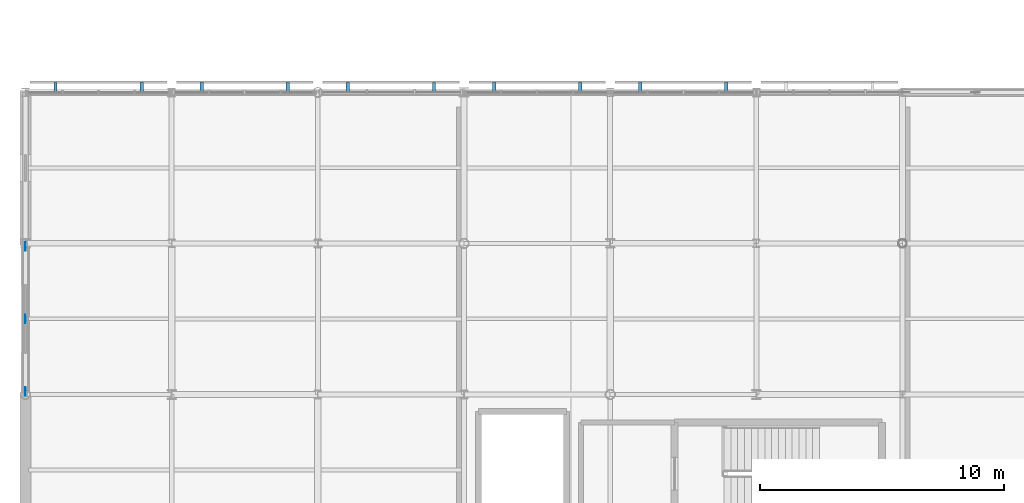
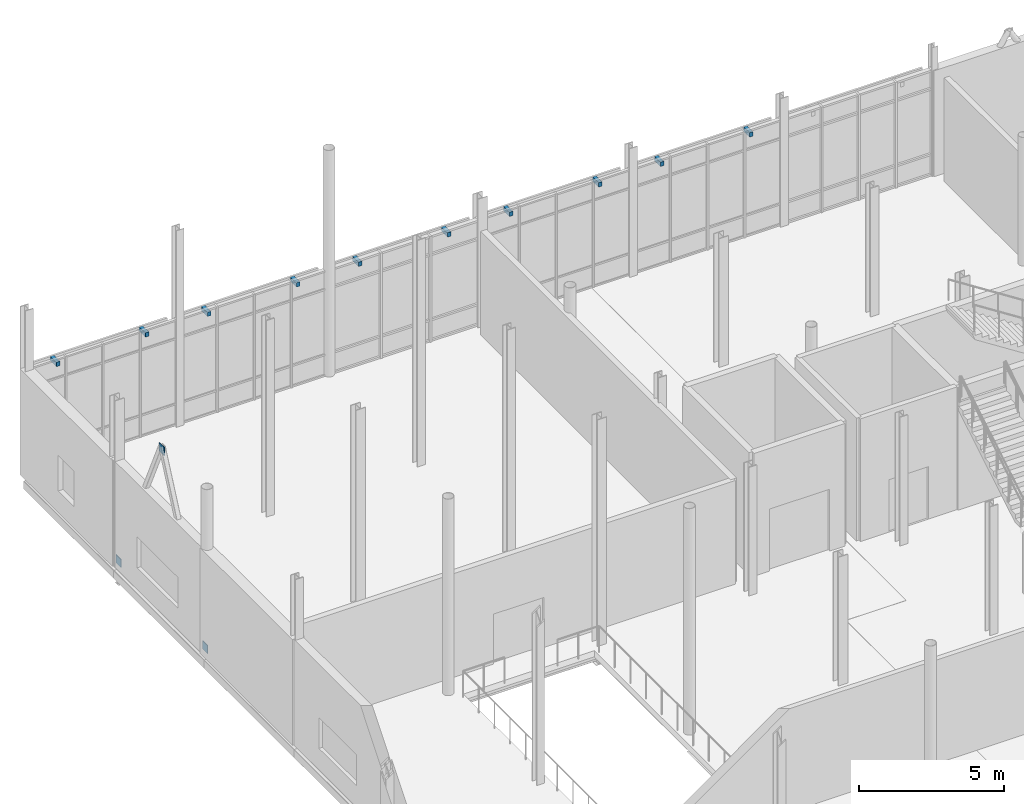
# One storey, part 80 of 105: 13 discrete accessories.
"""IFC4 building model written with IfcOpenShell, lengths in metres."""

import ifcopenshell
import ifcopenshell.guid

model = None  # the IFC model being written
_history = None  # IfcOwnerHistory: only IFC2X3 demands one
_inside = {}  # id of a spatial element -> (the spatial element, [elements in it])
_under = {}  # id of a project, library or spatial element -> (it, [spatial elements below it])
_declared = {}  # id of a project -> (the project, [libraries it declares])
_typed = {}  # id of a type object -> (the type object, [elements of that type])
_made_of = {}  # id of a material, layer set ... -> (it, [elements and type objects made of it])


def new_model(schema):
    """Start an empty IFC model of exactly this schema.

    Asked for "IFC4X3", IfcOpenShell would pick the latest addendum, in which some entities
    have other attributes; the version numbers below select the first issue.
    IFC2X3 requires an IfcOwnerHistory on every rooted entity: one is made here for all.
    """
    global model, _history
    if schema == "IFC4X3":
        model = ifcopenshell.file(schema_version=(4, 3, 0, 0))
    else:
        model = ifcopenshell.file(schema=schema)
    _inside.clear()
    _under.clear()
    _declared.clear()
    _typed.clear()
    _made_of.clear()
    _history = None
    if model.schema == "IFC2X3":
        org = make("IfcOrganization", Name="unknown")
        user = make(
            "IfcPersonAndOrganization",
            ThePerson=make("IfcPerson", FamilyName="unknown"),
            TheOrganization=org,
        )
        app = make(
            "IfcApplication",
            ApplicationDeveloper=org,
            Version="unknown",
            ApplicationFullName="unknown",
            ApplicationIdentifier="unknown",
        )
        _history = make(
            "IfcOwnerHistory",
            OwningUser=user,
            OwningApplication=app,
            ChangeAction="ADDED",
            CreationDate=0,
        )
    return model


def make(cls, **values):
    """One entity of the class cls with the attributes given. An attribute that is None is left unset."""
    return model.create_entity(
        cls, **{name: value for name, value in values.items() if value is not None}
    )


def rooted(cls, **values):
    """An entity with a GlobalId (a new one), such as an element, a storey or a relation."""
    return make(cls, GlobalId=ifcopenshell.guid.new(), OwnerHistory=_history, **values)


def si_unit(unit_type, name, prefix=None):
    """IfcSIUnit, for example si_unit("LENGTHUNIT", "METRE", prefix="MILLI")."""
    return make("IfcSIUnit", UnitType=unit_type, Prefix=prefix, Name=name)


def assignment(units):
    """IfcUnitAssignment: the units of a project."""
    return None if units is None else make("IfcUnitAssignment", Units=units)


def point(xyz):
    """IfcCartesianPoint."""
    return None if xyz is None else make("IfcCartesianPoint", Coordinates=xyz)


def direction(xyz):
    """IfcDirection."""
    return None if xyz is None else make("IfcDirection", DirectionRatios=xyz)


def frame(location, z_axis=None, x_axis=None):
    """IfcAxis2Placement3D, a coordinate frame: its origin and axes. An axis left out is left unset."""
    return make(
        "IfcAxis2Placement3D",
        Location=point(location),
        Axis=direction(z_axis),
        RefDirection=direction(x_axis),
    )


def frame_2d(location, x_axis=None):
    """IfcAxis2Placement2D, a coordinate frame in the plane: its origin and x axis."""
    return make(
        "IfcAxis2Placement2D", Location=point(location), RefDirection=direction(x_axis)
    )


def origin():
    """The frame at (0, 0, 0) with its axes left unset."""
    return frame((0.0, 0.0, 0.0))


def origin_2d():
    """The frame at (0, 0) in the plane with its x axis left unset."""
    return frame_2d((0.0, 0.0))


def place(relative_to, where):
    """IfcLocalPlacement: puts the frame where relative to a parent placement (None: the world)."""
    return make(
        "IfcLocalPlacement", PlacementRelTo=relative_to, RelativePlacement=where
    )


def context(
    kind, dimensions, precision=None, world=None, true_north=None, identifier=None
):
    """IfcGeometricRepresentationContext, for example the 3D "Model" context."""
    return make(
        "IfcGeometricRepresentationContext",
        ContextIdentifier=identifier,
        ContextType=kind,
        CoordinateSpaceDimension=dimensions,
        Precision=precision,
        WorldCoordinateSystem=world,
        TrueNorth=true_north,
    )


def subcontext(parent, identifier, kind, view, scale=None):
    """IfcGeometricRepresentationSubContext, for example "Body" below "Model"."""
    return make(
        "IfcGeometricRepresentationSubContext",
        ContextIdentifier=identifier,
        ContextType=kind,
        ParentContext=parent,
        TargetScale=scale,
        TargetView=view,
    )


def project(units=None, contexts=None):
    """IfcProject with its units and contexts."""
    return rooted(
        "IfcProject",
        Name="project",
        RepresentationContexts=contexts,
        UnitsInContext=assignment(units),
    )


def spatial(cls, under=None, at=None, **own):
    """A site, building, storey or space (cls), placed at a placement, below another one or the project."""
    s = rooted(cls, ObjectPlacement=at, **own)
    if under is not None:
        _under.setdefault(under.id(), (under, []))[1].append(s)
    return s


def profile(cls, at=None, kind="AREA", **sizes):
    """A parametric profile (cls). Its sizes go by their IFC names, for example OverallWidth=200.0."""
    return make(cls, ProfileType=kind, Position=at, **sizes)


def rectangle(**sizes):
    """IfcRectangleProfileDef."""
    return profile("IfcRectangleProfileDef", **sizes)


def extrude(swept, where, along, depth):
    """IfcExtrudedAreaSolid: the profile swept, set in the frame where, extruded along a direction by depth."""
    return make(
        "IfcExtrudedAreaSolid",
        SweptArea=swept,
        Position=where,
        ExtrudedDirection=direction(along),
        Depth=depth,
    )


def shape(context_of_items, identifier, shape_type, items):
    """IfcShapeRepresentation: the items that make up one representation, for example the "Body"."""
    return make(
        "IfcShapeRepresentation",
        ContextOfItems=context_of_items,
        RepresentationIdentifier=identifier,
        RepresentationType=shape_type,
        Items=items,
    )


def material(Name=None, Category=None):
    """IfcMaterial."""
    return make("IfcMaterial", Name=Name, Category=Category)


def made_of(thing, what):
    """Note that an element or type object is made of a material, layer set ...; save() writes the relation."""
    if what is not None:
        _made_of.setdefault(what.id(), (what, []))[1].append(thing)
    return thing


def type_object(cls, material=None, **own):
    """A type object (cls), such as IfcWallType, which elements share."""
    return made_of(rooted(cls, **own), material)


def element(
    cls,
    number,
    at=None,
    inside=None,
    cuts=None,
    type_object=None,
    material=None,
    context=None,
    identifier="Body",
    shape_type=None,
    held_by="IfcProductDefinitionShape",
    body=None,
    shapes=None,
    **own,
):
    """One element of the class cls, such as IfcWall. Its Tag is "e" and its number.

    at: its placement. inside: the storey or other place that contains it. cuts: it is an
    opening in that element (IfcRelVoidsElement). A single representation is given by context,
    identifier, shape_type and body (its items); several are given by shapes. held_by: the class
    of the entity that holds the representations. save() writes the other relations.
    """
    e = rooted(cls, Tag="e%d" % number, ObjectPlacement=at, **own)
    if body is not None:
        shapes = [shape(context, identifier, shape_type, body)]
    if shapes is not None:
        e.Representation = make(held_by, Representations=shapes)
    if inside is not None:
        _inside.setdefault(inside.id(), (inside, []))[1].append(e)
    if cuts is not None:
        rooted(
            "IfcRelVoidsElement", RelatingBuildingElement=cuts, RelatedOpeningElement=e
        )
    if type_object is not None:
        _typed.setdefault(type_object.id(), (type_object, []))[1].append(e)
    return made_of(e, material)


def aggregate(whole, parts):
    """IfcRelAggregates: a whole, such as a stair, and the parts it consists of."""
    return rooted("IfcRelAggregates", RelatingObject=whole, RelatedObjects=parts)


def save(model, path):
    """Write the relations noted so far, then the file.

    IfcRelAggregates (storeys below a building ...), IfcRelContainedInSpatialStructure (elements
    in a storey), IfcRelDefinesByType, IfcRelAssociatesMaterial and IfcRelDeclares: one each for
    every whole, place, type object, material and project.
    """
    for whole, parts in _under.values():
        aggregate(whole, parts)
    for where, things in _inside.values():
        rooted(
            "IfcRelContainedInSpatialStructure",
            RelatedElements=things,
            RelatingStructure=where,
        )
    for kind, things in _typed.values():
        rooted("IfcRelDefinesByType", RelatedObjects=things, RelatingType=kind)
    for what, things in _made_of.values():
        rooted("IfcRelAssociatesMaterial", RelatedObjects=things, RelatingMaterial=what)
    for by, libraries in _declared.values():
        rooted("IfcRelDeclares", RelatingContext=by, RelatedDefinitions=libraries)
    model.write(path)


model = new_model("IFC4")

# Units and contexts
model_context = context("Model", 3, precision=1e-05, world=origin(), true_north=direction((0.0, 1.0)))
body_context = subcontext(model_context, "Body", "Model", "MODEL_VIEW")
ifc_project = project(units=[si_unit("LENGTHUNIT", "METRE"), si_unit("AREAUNIT", "SQUARE_METRE"), si_unit("VOLUMEUNIT", "CUBIC_METRE"), si_unit("PLANEANGLEUNIT", "RADIAN"), si_unit("MASSUNIT", "GRAM", prefix="KILO")], contexts=[model_context])

# Site, building, storey
site_placement = place(None, origin())
site = spatial("IfcSite", under=ifc_project, at=site_placement, CompositionType="ELEMENT")
building_placement = place(site_placement, origin())
building = spatial("IfcBuilding", under=site, at=building_placement, Name="Mirzam Square Science Centre", CompositionType="ELEMENT")
storey_placement = place(building_placement, frame((0.0, 0.0, 5.39990234375)))
storey = spatial("IfcBuildingStorey", under=building, at=storey_placement, Name="L01", CompositionType="ELEMENT", Elevation=5.39990234375)

# Discrete accessories
ifc_material = material(Name="Steel S355", Category="steel")
discrete_accessory_type_1 = type_object("IfcDiscreteAccessoryType", Name="BK-BRACE-GUSSET", PredefinedType="BRACKET", material=ifc_material)
for number, where, z_axis, x_axis, name in (
    (1, (0.0, 68.320068359375, -0.0048828125), (0.0, 0.0, 1.0), (0.0, 1.0, 0.0), "L01 brace gusset plate 2A"),
    (2, (0.0, 74.280029296875, -0.0048828125), (0.0, 0.0, 1.0), (0.0, 1.0, 0.0), "L01 brace gusset plate 2B"),
    (3, (0.0, 71.300048828125, 6.50341796875), (0.0, 0.0, 1.0), (0.0, 1.0, 0.0), "L01 brace apex gusset plate 2"),
):
    element("IfcDiscreteAccessory", number, at=place(storey_placement, frame(where, z_axis=z_axis, x_axis=x_axis)), inside=storey, type_object=discrete_accessory_type_1, Name=name, PredefinedType="BRACKET", context=body_context, shape_type="SweptSolid", body=[
        extrude(rectangle(XDim=0.35009765625, YDim=0.02490234375, at=origin_2d()), origin(), (0.0, 0.0, 1.0), 0.35009765625),
    ])
discrete_accessory_type_2 = type_object("IfcDiscreteAccessoryType", Name="BRK-BRISE-STEEL", PredefinedType="BRACKET", material=ifc_material)
for number, where, z_axis, x_axis, name in (
    (4, (4.76708984375, 80.7900390625, 4.10009765625), (0.0, 0.0, 1.0), (-1.0, 0.0, 0.0), "L01 brise-soleil support bracket 7"),
    (5, (1.23291015625, 80.7900390625, 4.10009765625), (0.0, 0.0, 1.0), (-1.0, 0.0, 0.0), "L01 brise-soleil support bracket 7"),
    (6, (10.76708984375, 80.7900390625, 4.10009765625), (0.0, 0.0, 1.0), (-1.0, 0.0, 0.0), "L01 brise-soleil support bracket 8"),
    (7, (7.23291015625, 80.7900390625, 4.10009765625), (0.0, 0.0, 1.0), (-1.0, 0.0, 0.0), "L01 brise-soleil support bracket 8"),
    (8, (16.76708984375, 80.7900390625, 4.10009765625), (0.0, 0.0, 1.0), (-1.0, 0.0, 0.0), "L01 brise-soleil support bracket 9"),
    (9, (13.23291015625, 80.7900390625, 4.10009765625), (0.0, 0.0, 1.0), (-1.0, 0.0, 0.0), "L01 brise-soleil support bracket 9"),
    (10, (22.76708984375, 80.7900390625, 4.10009765625), (0.0, 0.0, 1.0), (-1.0, 0.0, 0.0), "L01 brise-soleil support bracket 10"),
    (11, (19.23291015625, 80.7900390625, 4.10009765625), (0.0, 0.0, 1.0), (-1.0, 0.0, 0.0), "L01 brise-soleil support bracket 10"),
    (12, (28.76708984375, 80.7900390625, 4.10009765625), (0.0, 0.0, 1.0), (-1.0, 0.0, 0.0), "L01 brise-soleil support bracket 11"),
    (13, (25.23291015625, 80.7900390625, 4.10009765625), (0.0, 0.0, 1.0), (-1.0, 0.0, 0.0), "L01 brise-soleil support bracket 11"),
):
    element("IfcDiscreteAccessory", number, at=place(storey_placement, frame(where, z_axis=z_axis, x_axis=x_axis)), inside=storey, type_object=discrete_accessory_type_2, Name=name, PredefinedType="BRACKET", context=body_context, shape_type="SweptSolid", body=[
        extrude(rectangle(XDim=0.139892578125, YDim=0.419921875, at=origin_2d()), origin(), (0.0, 0.0, 1.0), 0.179931640625),
    ])

save(model, "model.ifc")
